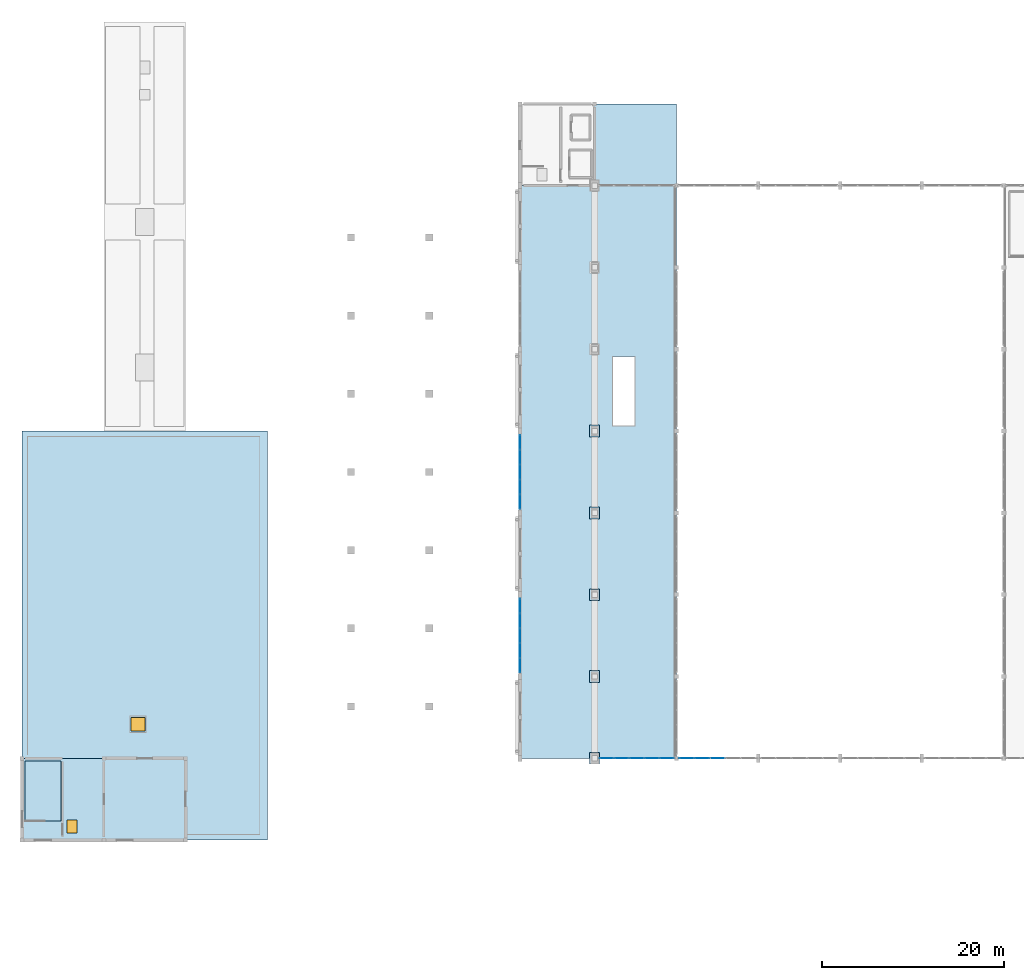
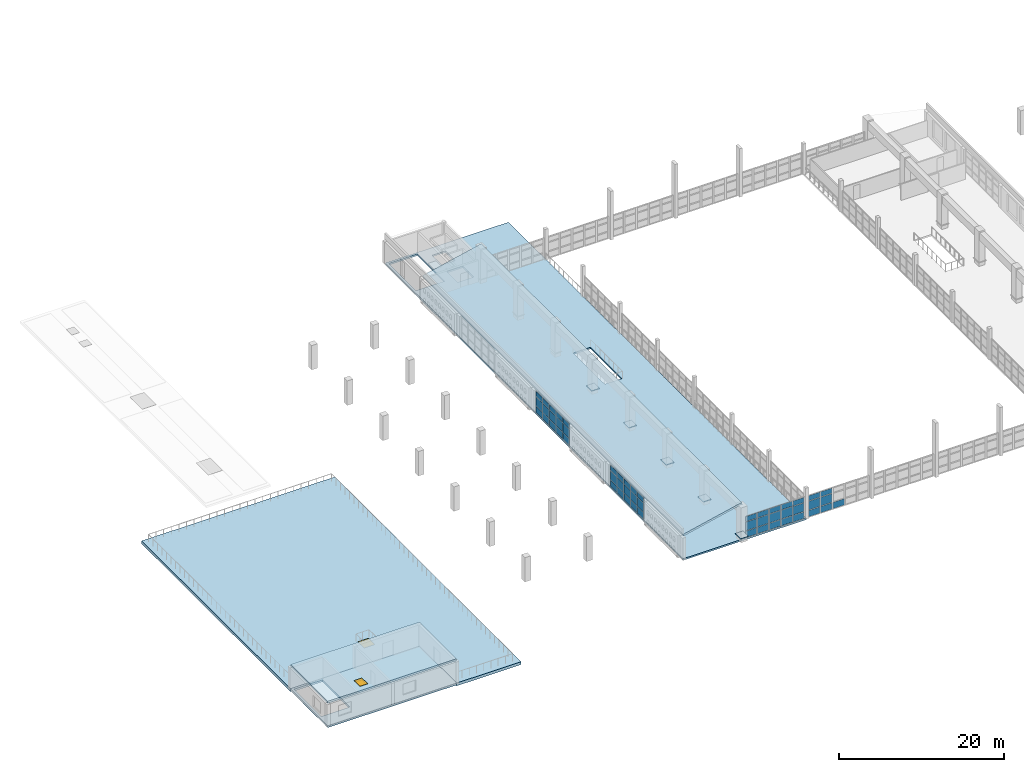
# One storey, part 55 of 80: 57 plates, 5 slabs, 1 door, 1 window, 2 openings, 4 elements without a shape of their own.
"""IFC4 building model written with IfcOpenShell, lengths in metres."""

from ifc_helpers import new_model, si_unit, direction, frame, origin, origin_2d, place, context, subcontext, project, spatial, polyline, rectangle, outline, extrude, material, layer, layer_set, type_object, element, fill, aggregate, save


model = new_model("IFC4")

# Units and contexts
model_context = context("Model", 3, precision=1e-05, world=origin(), true_north=direction((0.0, 1.0)))
body_context = subcontext(model_context, "Body", "Model", "MODEL_VIEW")
ifc_project = project(units=[si_unit("LENGTHUNIT", "METRE"), si_unit("AREAUNIT", "SQUARE_METRE"), si_unit("VOLUMEUNIT", "CUBIC_METRE"), si_unit("PLANEANGLEUNIT", "RADIAN"), si_unit("MASSUNIT", "GRAM", prefix="KILO")], contexts=[model_context])

# Site, building, storey
site_placement = place(None, origin())
site = spatial("IfcSite", under=ifc_project, at=site_placement, CompositionType="ELEMENT")
building_placement = place(site_placement, origin())
building = spatial("IfcBuilding", under=site, at=building_placement, Name="Ornek Quay Market", CompositionType="ELEMENT")
storey_placement = place(building_placement, frame((0.0, 0.0, 8.39990234375)))
storey = spatial("IfcBuildingStorey", under=building, at=storey_placement, Name="L02", CompositionType="ELEMENT", Elevation=8.39990234375)

# Plates
ifc_material_1 = material(Name="Steel S355", Category="steel")
ifc_layer_1 = layer(ifc_material_1, 1.300048828125, Name="Steel S355", Category="steel")
ifc_layer_set_1 = layer_set([ifc_layer_1], Name="Steel S355")
plate_type_1 = type_object("IfcPlateType", Name="PL-ARCH-SHOE-1100x1300x50", PredefinedType="SHEET", material=ifc_layer_set_1)
for number, where, z_axis, x_axis, name in (
    (1, (63.0, 29.0, 0.60009765625), (0.0, 0.0, 1.0), (1.0, 0.0, 0.0), "Arch bearing plate Grid D-W"),
    (2, (63.0, 38.0, 0.60009765625), (0.0, 0.0, 1.0), (1.0, 0.0, 0.0), "Arch bearing plate Grid E-W"),
    (3, (63.0, 47.0, 0.60009765625), (0.0, 0.0, 1.0), (1.0, 0.0, 0.0), "Arch bearing plate Grid F-W"),
    (4, (63.0, 56.0, 0.60009765625), (0.0, 0.0, 1.0), (1.0, 0.0, 0.0), "Arch bearing plate Grid G-W"),
    (5, (63.0, 65.0, 0.60009765625), (0.0, 0.0, 1.0), (1.0, 0.0, 0.0), "Arch bearing plate Grid H-W"),
):
    element("IfcPlate", number, at=place(storey_placement, frame(where, z_axis=z_axis, x_axis=x_axis)), inside=storey, type_object=plate_type_1, Name=name, PredefinedType="SHEET", context=body_context, shape_type="SweptSolid", body=[
        extrude(rectangle(XDim=1.10009765625, YDim=1.300048828125, at=origin_2d()), origin(), (0.0, 0.0, 1.0), 0.050048828125),
    ])

# Curtain wall, plates
ifc_material_2 = material(Name="Anodised bronze aluminium and triple low-e glass", Category="aluminium")
ifc_layer_2 = layer(ifc_material_2, 0.239990234375, Name="Anodised bronze aluminium and triple low-e glass", Category="aluminium")
ifc_layer_set_2 = layer_set([ifc_layer_2], Name="Anodised bronze aluminium and triple low-e glass")
curtain_wall_type = type_object("IfcCurtainWallType", Name="CW-GAB-MOD1800", PredefinedType="USERDEFINED", material=ifc_layer_set_2)
curtain_wall_1_placement = place(storey_placement, origin())
curtain_wall_1 = element("IfcCurtainWall", 6, at=curtain_wall_1_placement, inside=storey, type_object=curtain_wall_type, Name="Curtain wall CW-057", ObjectType="CURTAIN WALL", PredefinedType="USERDEFINED")
ifc_material_3 = material(Name="Triple insulated low-e glass", Category="glass")
ifc_layer_3 = layer(ifc_material_3, 0.0419921875, Name="Triple insulated low-e glass", Category="glass")
ifc_layer_set_3 = layer_set([ifc_layer_3], Name="Triple insulated low-e glass")
plate_type_2 = type_object("IfcPlateType", Name="PL-CW-TRIPLE-42", PredefinedType="CURTAIN_PANEL", material=ifc_layer_set_3)
plate_1_placement = place(storey_placement, frame((54.800048828125, 39.237548828125, 0.06982421875), z_axis=(0.0, 0.0, 1.0), x_axis=(0.0, 1.0, 0.0)))
plate_1 = element("IfcPlate", 7, at=plate_1_placement, type_object=plate_type_2, Name="CW-057 panel 1.1", PredefinedType="CURTAIN_PANEL", context=body_context, shape_type="SweptSolid", body=[
    extrude(rectangle(XDim=1.534912109375, YDim=0.0419921875, at=origin_2d()), origin(), (0.0, 0.0, 1.0), 0.945068359375),
])
plate_2_placement = place(storey_placement, frame((54.800048828125, 39.237548828125, 1.0849609375), z_axis=(0.0, 0.0, 1.0), x_axis=(0.0, 1.0, 0.0)))
plate_2 = element("IfcPlate", 8, at=plate_2_placement, type_object=plate_type_2, Name="CW-057 panel 1.2", PredefinedType="CURTAIN_PANEL", context=body_context, shape_type="SweptSolid", body=[
    extrude(rectangle(XDim=1.534912109375, YDim=0.0419921875, at=origin_2d()), origin(), (0.0, 0.0, 1.0), 1.320068359375),
])
plate_3_placement = place(storey_placement, frame((54.800048828125, 39.237548828125, 2.47509765625), z_axis=(0.0, 0.0, 1.0), x_axis=(0.0, 1.0, 0.0)))
plate_3 = element("IfcPlate", 9, at=plate_3_placement, type_object=plate_type_2, Name="CW-057 panel 1.3", PredefinedType="CURTAIN_PANEL", context=body_context, shape_type="SweptSolid", body=[
    extrude(rectangle(XDim=1.534912109375, YDim=0.0419921875, at=origin_2d()), origin(), (0.0, 0.0, 1.0), 0.7451171875),
])
plate_4_placement = place(storey_placement, frame((54.800048828125, 40.860107421875, 0.06982421875), z_axis=(0.0, 0.0, 1.0), x_axis=(0.0, 1.0, 0.0)))
plate_4 = element("IfcPlate", 10, at=plate_4_placement, type_object=plate_type_2, Name="CW-057 panel 2.1", PredefinedType="CURTAIN_PANEL", context=body_context, shape_type="SweptSolid", body=[
    extrude(rectangle(XDim=1.570068359375, YDim=0.0419921875, at=origin_2d()), origin(), (0.0, 0.0, 1.0), 0.945068359375),
])
plate_5_placement = place(storey_placement, frame((54.800048828125, 40.860107421875, 1.0849609375), z_axis=(0.0, 0.0, 1.0), x_axis=(0.0, 1.0, 0.0)))
plate_5 = element("IfcPlate", 11, at=plate_5_placement, type_object=plate_type_2, Name="CW-057 panel 2.2", PredefinedType="CURTAIN_PANEL", context=body_context, shape_type="SweptSolid", body=[
    extrude(rectangle(XDim=1.570068359375, YDim=0.0419921875, at=origin_2d()), origin(), (0.0, 0.0, 1.0), 1.320068359375),
])
plate_6_placement = place(storey_placement, frame((54.800048828125, 40.860107421875, 2.47509765625), z_axis=(0.0, 0.0, 1.0), x_axis=(0.0, 1.0, 0.0)))
plate_6 = element("IfcPlate", 12, at=plate_6_placement, type_object=plate_type_2, Name="CW-057 panel 2.3", PredefinedType="CURTAIN_PANEL", context=body_context, shape_type="SweptSolid", body=[
    extrude(rectangle(XDim=1.570068359375, YDim=0.0419921875, at=origin_2d()), origin(), (0.0, 0.0, 1.0), 0.7451171875),
])
plate_7_placement = place(storey_placement, frame((54.800048828125, 42.5, 0.06982421875), z_axis=(0.0, 0.0, 1.0), x_axis=(0.0, 1.0, 0.0)))
plate_7 = element("IfcPlate", 13, at=plate_7_placement, type_object=plate_type_2, Name="CW-057 panel 3.1", PredefinedType="CURTAIN_PANEL", context=body_context, shape_type="SweptSolid", body=[
    extrude(rectangle(XDim=1.570068359375, YDim=0.0419921875, at=origin_2d()), origin(), (0.0, 0.0, 1.0), 0.945068359375),
])
plate_8_placement = place(storey_placement, frame((54.800048828125, 42.5, 1.0849609375), z_axis=(0.0, 0.0, 1.0), x_axis=(0.0, 1.0, 0.0)))
plate_8 = element("IfcPlate", 14, at=plate_8_placement, type_object=plate_type_2, Name="CW-057 panel 3.2", PredefinedType="CURTAIN_PANEL", context=body_context, shape_type="SweptSolid", body=[
    extrude(rectangle(XDim=1.570068359375, YDim=0.0419921875, at=origin_2d()), origin(), (0.0, 0.0, 1.0), 1.320068359375),
])
plate_9_placement = place(storey_placement, frame((54.800048828125, 42.5, 2.47509765625), z_axis=(0.0, 0.0, 1.0), x_axis=(0.0, 1.0, 0.0)))
plate_9 = element("IfcPlate", 15, at=plate_9_placement, type_object=plate_type_2, Name="CW-057 panel 3.3", PredefinedType="CURTAIN_PANEL", context=body_context, shape_type="SweptSolid", body=[
    extrude(rectangle(XDim=1.570068359375, YDim=0.0419921875, at=origin_2d()), origin(), (0.0, 0.0, 1.0), 0.7451171875),
])
plate_10_placement = place(storey_placement, frame((54.800048828125, 44.139892578125, 0.06982421875), z_axis=(0.0, 0.0, 1.0), x_axis=(0.0, 1.0, 0.0)))
plate_10 = element("IfcPlate", 16, at=plate_10_placement, type_object=plate_type_2, Name="CW-057 panel 4.1", PredefinedType="CURTAIN_PANEL", context=body_context, shape_type="SweptSolid", body=[
    extrude(rectangle(XDim=1.570068359375, YDim=0.0419921875, at=origin_2d()), origin(), (0.0, 0.0, 1.0), 0.945068359375),
])
plate_11_placement = place(storey_placement, frame((54.800048828125, 44.139892578125, 1.0849609375), z_axis=(0.0, 0.0, 1.0), x_axis=(0.0, 1.0, 0.0)))
plate_11 = element("IfcPlate", 17, at=plate_11_placement, type_object=plate_type_2, Name="CW-057 panel 4.2", PredefinedType="CURTAIN_PANEL", context=body_context, shape_type="SweptSolid", body=[
    extrude(rectangle(XDim=1.570068359375, YDim=0.0419921875, at=origin_2d()), origin(), (0.0, 0.0, 1.0), 1.320068359375),
])
plate_12_placement = place(storey_placement, frame((54.800048828125, 44.139892578125, 2.47509765625), z_axis=(0.0, 0.0, 1.0), x_axis=(0.0, 1.0, 0.0)))
plate_12 = element("IfcPlate", 18, at=plate_12_placement, type_object=plate_type_2, Name="CW-057 panel 4.3", PredefinedType="CURTAIN_PANEL", context=body_context, shape_type="SweptSolid", body=[
    extrude(rectangle(XDim=1.570068359375, YDim=0.0419921875, at=origin_2d()), origin(), (0.0, 0.0, 1.0), 0.7451171875),
])
plate_13_placement = place(storey_placement, frame((54.800048828125, 45.762451171875, 0.06982421875), z_axis=(0.0, 0.0, 1.0), x_axis=(0.0, 1.0, 0.0)))
plate_13 = element("IfcPlate", 19, at=plate_13_placement, type_object=plate_type_2, Name="CW-057 panel 5.1", PredefinedType="CURTAIN_PANEL", context=body_context, shape_type="SweptSolid", body=[
    extrude(rectangle(XDim=1.534912109375, YDim=0.0419921875, at=origin_2d()), origin(), (0.0, 0.0, 1.0), 0.945068359375),
])
plate_14_placement = place(storey_placement, frame((54.800048828125, 45.762451171875, 1.0849609375), z_axis=(0.0, 0.0, 1.0), x_axis=(0.0, 1.0, 0.0)))
plate_14 = element("IfcPlate", 20, at=plate_14_placement, type_object=plate_type_2, Name="CW-057 panel 5.2", PredefinedType="CURTAIN_PANEL", context=body_context, shape_type="SweptSolid", body=[
    extrude(rectangle(XDim=1.534912109375, YDim=0.0419921875, at=origin_2d()), origin(), (0.0, 0.0, 1.0), 1.320068359375),
])
plate_15_placement = place(storey_placement, frame((54.800048828125, 45.762451171875, 2.47509765625), z_axis=(0.0, 0.0, 1.0), x_axis=(0.0, 1.0, 0.0)))
plate_15 = element("IfcPlate", 21, at=plate_15_placement, type_object=plate_type_2, Name="CW-057 panel 5.3", PredefinedType="CURTAIN_PANEL", context=body_context, shape_type="SweptSolid", body=[
    extrude(rectangle(XDim=1.534912109375, YDim=0.0419921875, at=origin_2d()), origin(), (0.0, 0.0, 1.0), 0.7451171875),
])
aggregate(curtain_wall_1, [plate_1, plate_2, plate_3, plate_4, plate_5, plate_6, plate_7, plate_8, plate_9, plate_10, plate_11, plate_12, plate_13, plate_14, plate_15])

curtain_wall_2_placement = place(storey_placement, origin())
curtain_wall_2 = element("IfcCurtainWall", 22, at=curtain_wall_2_placement, inside=storey, type_object=curtain_wall_type, Name="Curtain wall CW-058", ObjectType="CURTAIN WALL", PredefinedType="USERDEFINED")
plate_16_placement = place(storey_placement, frame((54.800048828125, 57.237548828125, 0.06982421875), z_axis=(0.0, 0.0, 1.0), x_axis=(0.0, 1.0, 0.0)))
plate_16 = element("IfcPlate", 23, at=plate_16_placement, type_object=plate_type_2, Name="CW-058 panel 1.1", PredefinedType="CURTAIN_PANEL", context=body_context, shape_type="SweptSolid", body=[
    extrude(rectangle(XDim=1.534912109375, YDim=0.0419921875, at=origin_2d()), origin(), (0.0, 0.0, 1.0), 0.945068359375),
])
plate_17_placement = place(storey_placement, frame((54.800048828125, 57.237548828125, 1.0849609375), z_axis=(0.0, 0.0, 1.0), x_axis=(0.0, 1.0, 0.0)))
plate_17 = element("IfcPlate", 24, at=plate_17_placement, type_object=plate_type_2, Name="CW-058 panel 1.2", PredefinedType="CURTAIN_PANEL", context=body_context, shape_type="SweptSolid", body=[
    extrude(rectangle(XDim=1.534912109375, YDim=0.0419921875, at=origin_2d()), origin(), (0.0, 0.0, 1.0), 1.320068359375),
])
plate_18_placement = place(storey_placement, frame((54.800048828125, 57.237548828125, 2.47509765625), z_axis=(0.0, 0.0, 1.0), x_axis=(0.0, 1.0, 0.0)))
plate_18 = element("IfcPlate", 25, at=plate_18_placement, type_object=plate_type_2, Name="CW-058 panel 1.3", PredefinedType="CURTAIN_PANEL", context=body_context, shape_type="SweptSolid", body=[
    extrude(rectangle(XDim=1.534912109375, YDim=0.0419921875, at=origin_2d()), origin(), (0.0, 0.0, 1.0), 0.7451171875),
])
plate_19_placement = place(storey_placement, frame((54.800048828125, 58.860107421875, 0.06982421875), z_axis=(0.0, 0.0, 1.0), x_axis=(0.0, 1.0, 0.0)))
plate_19 = element("IfcPlate", 26, at=plate_19_placement, type_object=plate_type_2, Name="CW-058 panel 2.1", PredefinedType="CURTAIN_PANEL", context=body_context, shape_type="SweptSolid", body=[
    extrude(rectangle(XDim=1.570068359375, YDim=0.0419921875, at=origin_2d()), origin(), (0.0, 0.0, 1.0), 0.945068359375),
])
plate_20_placement = place(storey_placement, frame((54.800048828125, 58.860107421875, 1.0849609375), z_axis=(0.0, 0.0, 1.0), x_axis=(0.0, 1.0, 0.0)))
plate_20 = element("IfcPlate", 27, at=plate_20_placement, type_object=plate_type_2, Name="CW-058 panel 2.2", PredefinedType="CURTAIN_PANEL", context=body_context, shape_type="SweptSolid", body=[
    extrude(rectangle(XDim=1.570068359375, YDim=0.0419921875, at=origin_2d()), origin(), (0.0, 0.0, 1.0), 1.320068359375),
])
plate_21_placement = place(storey_placement, frame((54.800048828125, 58.860107421875, 2.47509765625), z_axis=(0.0, 0.0, 1.0), x_axis=(0.0, 1.0, 0.0)))
plate_21 = element("IfcPlate", 28, at=plate_21_placement, type_object=plate_type_2, Name="CW-058 panel 2.3", PredefinedType="CURTAIN_PANEL", context=body_context, shape_type="SweptSolid", body=[
    extrude(rectangle(XDim=1.570068359375, YDim=0.0419921875, at=origin_2d()), origin(), (0.0, 0.0, 1.0), 0.7451171875),
])
plate_22_placement = place(storey_placement, frame((54.800048828125, 60.5, 0.06982421875), z_axis=(0.0, 0.0, 1.0), x_axis=(0.0, 1.0, 0.0)))
plate_22 = element("IfcPlate", 29, at=plate_22_placement, type_object=plate_type_2, Name="CW-058 panel 3.1", PredefinedType="CURTAIN_PANEL", context=body_context, shape_type="SweptSolid", body=[
    extrude(rectangle(XDim=1.570068359375, YDim=0.0419921875, at=origin_2d()), origin(), (0.0, 0.0, 1.0), 0.945068359375),
])
plate_23_placement = place(storey_placement, frame((54.800048828125, 60.5, 1.0849609375), z_axis=(0.0, 0.0, 1.0), x_axis=(0.0, 1.0, 0.0)))
plate_23 = element("IfcPlate", 30, at=plate_23_placement, type_object=plate_type_2, Name="CW-058 panel 3.2", PredefinedType="CURTAIN_PANEL", context=body_context, shape_type="SweptSolid", body=[
    extrude(rectangle(XDim=1.570068359375, YDim=0.0419921875, at=origin_2d()), origin(), (0.0, 0.0, 1.0), 1.320068359375),
])
plate_24_placement = place(storey_placement, frame((54.800048828125, 60.5, 2.47509765625), z_axis=(0.0, 0.0, 1.0), x_axis=(0.0, 1.0, 0.0)))
plate_24 = element("IfcPlate", 31, at=plate_24_placement, type_object=plate_type_2, Name="CW-058 panel 3.3", PredefinedType="CURTAIN_PANEL", context=body_context, shape_type="SweptSolid", body=[
    extrude(rectangle(XDim=1.570068359375, YDim=0.0419921875, at=origin_2d()), origin(), (0.0, 0.0, 1.0), 0.7451171875),
])
plate_25_placement = place(storey_placement, frame((54.800048828125, 62.139892578125, 0.06982421875), z_axis=(0.0, 0.0, 1.0), x_axis=(0.0, 1.0, 0.0)))
plate_25 = element("IfcPlate", 32, at=plate_25_placement, type_object=plate_type_2, Name="CW-058 panel 4.1", PredefinedType="CURTAIN_PANEL", context=body_context, shape_type="SweptSolid", body=[
    extrude(rectangle(XDim=1.570068359375, YDim=0.0419921875, at=origin_2d()), origin(), (0.0, 0.0, 1.0), 0.945068359375),
])
plate_26_placement = place(storey_placement, frame((54.800048828125, 62.139892578125, 1.0849609375), z_axis=(0.0, 0.0, 1.0), x_axis=(0.0, 1.0, 0.0)))
plate_26 = element("IfcPlate", 33, at=plate_26_placement, type_object=plate_type_2, Name="CW-058 panel 4.2", PredefinedType="CURTAIN_PANEL", context=body_context, shape_type="SweptSolid", body=[
    extrude(rectangle(XDim=1.570068359375, YDim=0.0419921875, at=origin_2d()), origin(), (0.0, 0.0, 1.0), 1.320068359375),
])
plate_27_placement = place(storey_placement, frame((54.800048828125, 62.139892578125, 2.47509765625), z_axis=(0.0, 0.0, 1.0), x_axis=(0.0, 1.0, 0.0)))
plate_27 = element("IfcPlate", 34, at=plate_27_placement, type_object=plate_type_2, Name="CW-058 panel 4.3", PredefinedType="CURTAIN_PANEL", context=body_context, shape_type="SweptSolid", body=[
    extrude(rectangle(XDim=1.570068359375, YDim=0.0419921875, at=origin_2d()), origin(), (0.0, 0.0, 1.0), 0.7451171875),
])
plate_28_placement = place(storey_placement, frame((54.800048828125, 63.762451171875, 0.06982421875), z_axis=(0.0, 0.0, 1.0), x_axis=(0.0, 1.0, 0.0)))
plate_28 = element("IfcPlate", 35, at=plate_28_placement, type_object=plate_type_2, Name="CW-058 panel 5.1", PredefinedType="CURTAIN_PANEL", context=body_context, shape_type="SweptSolid", body=[
    extrude(rectangle(XDim=1.534912109375, YDim=0.0419921875, at=origin_2d()), origin(), (0.0, 0.0, 1.0), 0.945068359375),
])
plate_29_placement = place(storey_placement, frame((54.800048828125, 63.762451171875, 1.0849609375), z_axis=(0.0, 0.0, 1.0), x_axis=(0.0, 1.0, 0.0)))
plate_29 = element("IfcPlate", 36, at=plate_29_placement, type_object=plate_type_2, Name="CW-058 panel 5.2", PredefinedType="CURTAIN_PANEL", context=body_context, shape_type="SweptSolid", body=[
    extrude(rectangle(XDim=1.534912109375, YDim=0.0419921875, at=origin_2d()), origin(), (0.0, 0.0, 1.0), 1.320068359375),
])
plate_30_placement = place(storey_placement, frame((54.800048828125, 63.762451171875, 2.47509765625), z_axis=(0.0, 0.0, 1.0), x_axis=(0.0, 1.0, 0.0)))
plate_30 = element("IfcPlate", 37, at=plate_30_placement, type_object=plate_type_2, Name="CW-058 panel 5.3", PredefinedType="CURTAIN_PANEL", context=body_context, shape_type="SweptSolid", body=[
    extrude(rectangle(XDim=1.534912109375, YDim=0.0419921875, at=origin_2d()), origin(), (0.0, 0.0, 1.0), 0.7451171875),
])
aggregate(curtain_wall_2, [plate_16, plate_17, plate_18, plate_19, plate_20, plate_21, plate_22, plate_23, plate_24, plate_25, plate_26, plate_27, plate_28, plate_29, plate_30])

curtain_wall_3_placement = place(storey_placement, origin())
curtain_wall_3 = element("IfcCurtainWall", 38, at=curtain_wall_3_placement, inside=storey, type_object=curtain_wall_type, Name="Curtain wall CW-063", ObjectType="CURTAIN WALL", PredefinedType="USERDEFINED")
plate_31_placement = place(storey_placement, frame((64.31103515625, 29.0, 0.0751953125), z_axis=(0.0, 0.0, 1.0), x_axis=(1.0, 0.0, 0.0)))
plate_31 = element("IfcPlate", 39, at=plate_31_placement, type_object=plate_type_2, Name="CW-063 panel 1.1", PredefinedType="CURTAIN_PANEL", context=body_context, shape_type="SweptSolid", body=[
    extrude(rectangle(XDim=1.5419921875, YDim=0.0419921875, at=origin_2d()), origin(), (0.0, 0.0, 1.0), 0.9375),
])
plate_32_placement = place(storey_placement, frame((64.31103515625, 29.0, 1.087646484375), z_axis=(0.0, 0.0, 1.0), x_axis=(1.0, 0.0, 0.0)))
plate_32 = element("IfcPlate", 40, at=plate_32_placement, type_object=plate_type_2, Name="CW-063 panel 1.2", PredefinedType="CURTAIN_PANEL", context=body_context, shape_type="SweptSolid", body=[
    extrude(rectangle(XDim=1.5419921875, YDim=0.0419921875, at=origin_2d()), origin(), (0.0, 0.0, 1.0), 1.27490234375),
])
plate_33_placement = place(storey_placement, frame((64.31103515625, 29.0, 2.4375), z_axis=(0.0, 0.0, 1.0), x_axis=(1.0, 0.0, 0.0)))
plate_33 = element("IfcPlate", 41, at=plate_33_placement, type_object=plate_type_2, Name="CW-063 panel 1.3", PredefinedType="CURTAIN_PANEL", context=body_context, shape_type="SweptSolid", body=[
    extrude(rectangle(XDim=1.5419921875, YDim=0.0419921875, at=origin_2d()), origin(), (0.0, 0.0, 1.0), 0.737548828125),
])
plate_34_placement = place(storey_placement, frame((65.952880859375, 29.0, 0.0751953125), z_axis=(0.0, 0.0, 1.0), x_axis=(1.0, 0.0, 0.0)))
plate_34 = element("IfcPlate", 42, at=plate_34_placement, type_object=plate_type_2, Name="CW-063 panel 2.1", PredefinedType="CURTAIN_PANEL", context=body_context, shape_type="SweptSolid", body=[
    extrude(rectangle(XDim=1.58203125, YDim=0.0419921875, at=origin_2d()), origin(), (0.0, 0.0, 1.0), 0.9375),
])
plate_35_placement = place(storey_placement, frame((65.952880859375, 29.0, 1.087646484375), z_axis=(0.0, 0.0, 1.0), x_axis=(1.0, 0.0, 0.0)))
plate_35 = element("IfcPlate", 43, at=plate_35_placement, type_object=plate_type_2, Name="CW-063 panel 2.2", PredefinedType="CURTAIN_PANEL", context=body_context, shape_type="SweptSolid", body=[
    extrude(rectangle(XDim=1.58203125, YDim=0.0419921875, at=origin_2d()), origin(), (0.0, 0.0, 1.0), 1.27490234375),
])
plate_36_placement = place(storey_placement, frame((65.952880859375, 29.0, 2.4375), z_axis=(0.0, 0.0, 1.0), x_axis=(1.0, 0.0, 0.0)))
plate_36 = element("IfcPlate", 44, at=plate_36_placement, type_object=plate_type_2, Name="CW-063 panel 2.3", PredefinedType="CURTAIN_PANEL", context=body_context, shape_type="SweptSolid", body=[
    extrude(rectangle(XDim=1.58203125, YDim=0.0419921875, at=origin_2d()), origin(), (0.0, 0.0, 1.0), 0.737548828125),
])
plate_37_placement = place(storey_placement, frame((67.614990234375, 29.0, 0.0751953125), z_axis=(0.0, 0.0, 1.0), x_axis=(1.0, 0.0, 0.0)))
plate_37 = element("IfcPlate", 45, at=plate_37_placement, type_object=plate_type_2, Name="CW-063 panel 3.1", PredefinedType="CURTAIN_PANEL", context=body_context, shape_type="SweptSolid", body=[
    extrude(rectangle(XDim=1.58203125, YDim=0.0419921875, at=origin_2d()), origin(), (0.0, 0.0, 1.0), 0.9375),
])
plate_38_placement = place(storey_placement, frame((67.614990234375, 29.0, 1.087646484375), z_axis=(0.0, 0.0, 1.0), x_axis=(1.0, 0.0, 0.0)))
plate_38 = element("IfcPlate", 46, at=plate_38_placement, type_object=plate_type_2, Name="CW-063 panel 3.2", PredefinedType="CURTAIN_PANEL", context=body_context, shape_type="SweptSolid", body=[
    extrude(rectangle(XDim=1.58203125, YDim=0.0419921875, at=origin_2d()), origin(), (0.0, 0.0, 1.0), 1.27490234375),
])
plate_39_placement = place(storey_placement, frame((67.614990234375, 29.0, 2.4375), z_axis=(0.0, 0.0, 1.0), x_axis=(1.0, 0.0, 0.0)))
plate_39 = element("IfcPlate", 47, at=plate_39_placement, type_object=plate_type_2, Name="CW-063 panel 3.3", PredefinedType="CURTAIN_PANEL", context=body_context, shape_type="SweptSolid", body=[
    extrude(rectangle(XDim=1.58203125, YDim=0.0419921875, at=origin_2d()), origin(), (0.0, 0.0, 1.0), 0.737548828125),
])
plate_40_placement = place(storey_placement, frame((69.277099609375, 29.0, 0.0751953125), z_axis=(0.0, 0.0, 1.0), x_axis=(1.0, 0.0, 0.0)))
plate_40 = element("IfcPlate", 48, at=plate_40_placement, type_object=plate_type_2, Name="CW-063 panel 4.1", PredefinedType="CURTAIN_PANEL", context=body_context, shape_type="SweptSolid", body=[
    extrude(rectangle(XDim=1.58203125, YDim=0.0419921875, at=origin_2d()), origin(), (0.0, 0.0, 1.0), 0.9375),
])
plate_41_placement = place(storey_placement, frame((69.277099609375, 29.0, 1.087646484375), z_axis=(0.0, 0.0, 1.0), x_axis=(1.0, 0.0, 0.0)))
plate_41 = element("IfcPlate", 49, at=plate_41_placement, type_object=plate_type_2, Name="CW-063 panel 4.2", PredefinedType="CURTAIN_PANEL", context=body_context, shape_type="SweptSolid", body=[
    extrude(rectangle(XDim=1.58203125, YDim=0.0419921875, at=origin_2d()), origin(), (0.0, 0.0, 1.0), 1.27490234375),
])
plate_42_placement = place(storey_placement, frame((69.277099609375, 29.0, 2.4375), z_axis=(0.0, 0.0, 1.0), x_axis=(1.0, 0.0, 0.0)))
plate_42 = element("IfcPlate", 50, at=plate_42_placement, type_object=plate_type_2, Name="CW-063 panel 4.3", PredefinedType="CURTAIN_PANEL", context=body_context, shape_type="SweptSolid", body=[
    extrude(rectangle(XDim=1.58203125, YDim=0.0419921875, at=origin_2d()), origin(), (0.0, 0.0, 1.0), 0.737548828125),
])
plate_43_placement = place(storey_placement, frame((70.9189453125, 29.0, 0.0751953125), z_axis=(0.0, 0.0, 1.0), x_axis=(1.0, 0.0, 0.0)))
plate_43 = element("IfcPlate", 51, at=plate_43_placement, type_object=plate_type_2, Name="CW-063 panel 5.1", PredefinedType="CURTAIN_PANEL", context=body_context, shape_type="SweptSolid", body=[
    extrude(rectangle(XDim=1.5419921875, YDim=0.0419921875, at=origin_2d()), origin(), (0.0, 0.0, 1.0), 0.9375),
])
plate_44_placement = place(storey_placement, frame((70.9189453125, 29.0, 1.087646484375), z_axis=(0.0, 0.0, 1.0), x_axis=(1.0, 0.0, 0.0)))
plate_44 = element("IfcPlate", 52, at=plate_44_placement, type_object=plate_type_2, Name="CW-063 panel 5.2", PredefinedType="CURTAIN_PANEL", context=body_context, shape_type="SweptSolid", body=[
    extrude(rectangle(XDim=1.5419921875, YDim=0.0419921875, at=origin_2d()), origin(), (0.0, 0.0, 1.0), 1.27490234375),
])
plate_45_placement = place(storey_placement, frame((70.9189453125, 29.0, 2.4375), z_axis=(0.0, 0.0, 1.0), x_axis=(1.0, 0.0, 0.0)))
plate_45 = element("IfcPlate", 53, at=plate_45_placement, type_object=plate_type_2, Name="CW-063 panel 5.3", PredefinedType="CURTAIN_PANEL", context=body_context, shape_type="SweptSolid", body=[
    extrude(rectangle(XDim=1.5419921875, YDim=0.0419921875, at=origin_2d()), origin(), (0.0, 0.0, 1.0), 0.737548828125),
])
aggregate(curtain_wall_3, [plate_31, plate_32, plate_33, plate_34, plate_35, plate_36, plate_37, plate_38, plate_39, plate_40, plate_41, plate_42, plate_43, plate_44, plate_45])

curtain_wall_4_placement = place(storey_placement, origin())
curtain_wall_4 = element("IfcCurtainWall", 54, at=curtain_wall_4_placement, inside=storey, type_object=curtain_wall_type, Name="Curtain wall CW-066", ObjectType="CURTAIN WALL", PredefinedType="USERDEFINED")
plate_46_placement = place(storey_placement, frame((73.10595703125, 29.0, 0.0751953125), z_axis=(0.0, 0.0, 1.0), x_axis=(1.0, 0.0, 0.0)))
plate_46 = element("IfcPlate", 55, at=plate_46_placement, type_object=plate_type_2, Name="CW-066 panel 1.1", PredefinedType="CURTAIN_PANEL", context=body_context, shape_type="SweptSolid", body=[
    extrude(rectangle(XDim=1.592041015625, YDim=0.0419921875, at=origin_2d()), origin(), (0.0, 0.0, 1.0), 0.9375),
])
plate_47_placement = place(storey_placement, frame((73.10595703125, 29.0, 1.087646484375), z_axis=(0.0, 0.0, 1.0), x_axis=(1.0, 0.0, 0.0)))
plate_47 = element("IfcPlate", 56, at=plate_47_placement, type_object=plate_type_2, Name="CW-066 panel 1.2", PredefinedType="CURTAIN_PANEL", context=body_context, shape_type="SweptSolid", body=[
    extrude(rectangle(XDim=1.592041015625, YDim=0.0419921875, at=origin_2d()), origin(), (0.0, 0.0, 1.0), 1.27490234375),
])
plate_48_placement = place(storey_placement, frame((73.10595703125, 29.0, 2.4375), z_axis=(0.0, 0.0, 1.0), x_axis=(1.0, 0.0, 0.0)))
plate_48 = element("IfcPlate", 57, at=plate_48_placement, type_object=plate_type_2, Name="CW-066 panel 1.3", PredefinedType="CURTAIN_PANEL", context=body_context, shape_type="SweptSolid", body=[
    extrude(rectangle(XDim=1.592041015625, YDim=0.0419921875, at=origin_2d()), origin(), (0.0, 0.0, 1.0), 0.737548828125),
])
plate_49_placement = place(storey_placement, frame((74.798095703125, 29.0, 0.0751953125), z_axis=(0.0, 0.0, 1.0), x_axis=(1.0, 0.0, 0.0)))
plate_49 = element("IfcPlate", 58, at=plate_49_placement, type_object=plate_type_2, Name="CW-066 panel 2.1", PredefinedType="CURTAIN_PANEL", context=body_context, shape_type="SweptSolid", body=[
    extrude(rectangle(XDim=1.632080078125, YDim=0.0419921875, at=origin_2d()), origin(), (0.0, 0.0, 1.0), 0.9375),
])
plate_50_placement = place(storey_placement, frame((74.798095703125, 29.0, 1.087646484375), z_axis=(0.0, 0.0, 1.0), x_axis=(1.0, 0.0, 0.0)))
plate_50 = element("IfcPlate", 59, at=plate_50_placement, type_object=plate_type_2, Name="CW-066 panel 2.2", PredefinedType="CURTAIN_PANEL", context=body_context, shape_type="SweptSolid", body=[
    extrude(rectangle(XDim=1.632080078125, YDim=0.0419921875, at=origin_2d()), origin(), (0.0, 0.0, 1.0), 1.27490234375),
])
plate_51_placement = place(storey_placement, frame((74.798095703125, 29.0, 2.4375), z_axis=(0.0, 0.0, 1.0), x_axis=(1.0, 0.0, 0.0)))
plate_51 = element("IfcPlate", 60, at=plate_51_placement, type_object=plate_type_2, Name="CW-066 panel 2.3", PredefinedType="CURTAIN_PANEL", context=body_context, shape_type="SweptSolid", body=[
    extrude(rectangle(XDim=1.632080078125, YDim=0.0419921875, at=origin_2d()), origin(), (0.0, 0.0, 1.0), 0.737548828125),
])
plate_52_placement = place(storey_placement, frame((76.510009765625, 29.0, 0.0751953125), z_axis=(0.0, 0.0, 1.0), x_axis=(1.0, 0.0, 0.0)))
plate_52 = element("IfcPlate", 61, at=plate_52_placement, type_object=plate_type_2, Name="CW-066 panel 3.1", PredefinedType="CURTAIN_PANEL", context=body_context, shape_type="SweptSolid", body=[
    extrude(rectangle(XDim=1.632080078125, YDim=0.0419921875, at=origin_2d()), origin(), (0.0, 0.0, 1.0), 0.9375),
])
aggregate(curtain_wall_4, [plate_46, plate_47, plate_48, plate_49, plate_50, plate_51, plate_52])

# Slabs
ifc_material_4 = material(Name="Concrete C40/50", Category="concrete")
ifc_layer_4 = layer(ifc_material_4, 0.239990234375, Name="Concrete C40/50", Category="concrete")
ifc_layer_set_4 = layer_set([ifc_layer_4], Name="Concrete C40/50")
slab_type_1 = type_object("IfcSlabType", Name="SL-FLR-GAL2-240", PredefinedType="FLOOR", material=ifc_layer_set_4)
slab_1_placement = place(storey_placement, frame((0.0, 0.0, -0.239990234375)))
element("IfcSlab", 62, at=slab_1_placement, inside=storey, type_object=slab_type_1, Name="Slab S-053 (L02)", PredefinedType="FLOOR", context=body_context, shape_type="SweptSolid", body=[
    extrude(outline(polyline([(54.800048828125, 29.0), (72.0, 29.0), (72.0, 101.0), (54.800048828125, 101.0), (54.800048828125, 29.0)]), holes=[polyline([(67.39990234375, 65.60009765625), (65.0, 65.60009765625), (65.0, 73.199951171875), (67.39990234375, 73.199951171875), (67.39990234375, 65.60009765625)]), polyline([(62.570068359375, 93.080078125), (60.330078125, 93.080078125), (60.330078125, 95.719970703125), (62.570068359375, 95.719970703125), (62.570068359375, 93.080078125)]), polyline([(59.10009765625, 94.10009765625), (55.10009765625, 94.10009765625), (55.10009765625, 100.699951171875), (59.10009765625, 100.699951171875), (59.10009765625, 94.10009765625)]), polyline([(62.3701171875, 97.22998046875), (60.530029296875, 97.22998046875), (60.530029296875, 99.570068359375), (62.3701171875, 99.570068359375), (62.3701171875, 97.22998046875)])]), origin(), (0.0, 0.0, 1.0), 0.239990234375),
])
ifc_material_5 = material(Name="Concrete C35/45", Category="concrete")
ifc_layer_5 = layer(ifc_material_5, 0.280029296875, Name="Concrete C35/45", Category="concrete")
ifc_layer_set_5 = layer_set([ifc_layer_5], Name="Concrete C35/45")
slab_type_2 = type_object("IfcSlabType", Name="SL-FLR-WING-280", PredefinedType="FLOOR", material=ifc_layer_set_5)
slab_2_placement = place(storey_placement, frame((0.0, 0.0, -0.27978515625)))
element("IfcSlab", 63, at=slab_2_placement, inside=storey, type_object=slab_type_2, Name="Slab S-039 (L02)", PredefinedType="FLOOR", context=body_context, shape_type="SweptSolid", body=[
    extrude(outline(polyline([(0.0, 20.0), (18.0, 20.0), (18.0, 29.0), (0.0, 29.0), (0.0, 20.0)]), holes=[polyline([(0.300048828125, 28.699951171875), (4.300048828125, 28.699951171875), (4.300048828125, 22.10009765625), (0.300048828125, 22.10009765625), (0.300048828125, 28.699951171875)])]), origin(), (0.0, 0.0, 1.0), 0.27978515625),
])

# Slab, opening, window
ifc_layer_6 = layer(ifc_material_4, 0.419921875, Name="Concrete C40/50", Category="concrete")
ifc_layer_set_6 = layer_set([ifc_layer_6], Name="Concrete C40/50")
slab_type_3 = type_object("IfcSlabType", Name="SL-GRD-WEST-420", PredefinedType="ROOF", material=ifc_layer_set_6)
slab_3_placement = place(storey_placement, frame((0.0, 0.0, -0.419921875)))
slab_3 = element("IfcSlab", 64, at=slab_3_placement, inside=storey, type_object=slab_type_3, Name="Slab S-040 (L02)", PredefinedType="ROOF", context=body_context, shape_type="SweptSolid", body=[
    extrude(outline(polyline([(18.0, 20.0), (27.0, 20.0), (27.0, 65.0), (0.0, 65.0), (0.0, 29.0), (18.0, 29.0), (18.0, 20.0)]), holes=[polyline([(12.0, 33.5), (13.5, 33.5), (13.5, 32.0), (12.0, 32.0), (12.0, 33.5)])]), origin(), (0.0, 0.0, 1.0), 0.419921875),
])
opening_1_placement = place(slab_3_placement, frame((12.75, 32.75, -0.010009765625)))
opening_1 = element("IfcOpeningElement", 65, at=opening_1_placement, cuts=slab_3, Name="Opening LDM-01-15", PredefinedType="OPENING", context=body_context, shape_type="SweptSolid", body=[
    extrude(rectangle(XDim=1.5, YDim=1.5, at=origin_2d()), origin(), (0.0, 0.0, 1.0), 0.43994140625),
])
ifc_material_6 = material(Name="Thermally broken bronze aluminium and triple low-e glass", Category="aluminium")
window_type = type_object("IfcWindowType", Name="WN-DOME-1500x1500", PartitioningType="SINGLE_PANEL", PredefinedType="LIGHTDOME", material=ifc_material_6)
window_placement = place(opening_1_placement, frame((0.0, 0.0, 0.3798828125)))
window = element("IfcWindow", 66, at=window_placement, inside=storey, type_object=window_type, Name="Roof skylight LDM-01-15", OverallHeight=1.5, OverallWidth=1.5, PartitioningType="SINGLE_PANEL", PredefinedType="LIGHTDOME", context=body_context, shape_type="SweptSolid", body=[
    extrude(rectangle(XDim=1.5, YDim=1.5, at=origin_2d()), origin(), (0.0, 0.0, 1.0), 0.050048828125),
])
fill(opening_1, window)

# Slab, opening, door
ifc_layer_7 = layer(ifc_material_5, 0.31005859375, Name="Concrete C35/45", Category="concrete")
ifc_layer_set_7 = layer_set([ifc_layer_7], Name="Concrete C35/45")
slab_type_4 = type_object("IfcSlabType", Name="SL-RF-WING-310", PredefinedType="ROOF", material=ifc_layer_set_7)
slab_4_placement = place(storey_placement, frame((0.0, 0.0, 3.2900390625)))
slab_4 = element("IfcSlab", 67, at=slab_4_placement, inside=storey, type_object=slab_type_4, Name="Slab S-044 (L02)", PredefinedType="ROOF", context=body_context, shape_type="SweptSolid", body=[
    extrude(outline(polyline([(0.0, 20.0), (18.0, 20.0), (18.0, 29.0), (0.0, 29.0), (0.0, 20.0)]), holes=[polyline([(4.949951171875, 20.800048828125), (6.050048828125, 20.800048828125), (6.050048828125, 22.199951171875), (4.949951171875, 22.199951171875), (4.949951171875, 20.800048828125)])]), origin(), (0.0, 0.0, 1.0), 0.31005859375),
])
opening_2_placement = place(slab_4_placement, frame((5.5, 21.5, -0.010009765625)))
opening_2 = element("IfcOpeningElement", 68, at=opening_2_placement, cuts=slab_4, Name="Opening RH-02", PredefinedType="OPENING", context=body_context, shape_type="SweptSolid", body=[
    extrude(rectangle(XDim=1.10009765625, YDim=1.39990234375, at=origin_2d()), origin(), (0.0, 0.0, 1.0), 0.330078125),
])
ifc_material_7 = material(Name="Thermally broken aluminium roof access hatch", Category="aluminium")
door_type = type_object("IfcDoorType", Name="DR-HATCH-ROOF-1100x1400", OperationType="SINGLE_SWING_LEFT", PredefinedType="TRAPDOOR", material=ifc_material_7)
door_placement = place(opening_2_placement, frame((0.0, 0.0, 0.27001953125)))
door = element("IfcDoor", 69, at=door_placement, inside=storey, type_object=door_type, Name="Roof access hatch RH-02", OperationType="SINGLE_SWING_LEFT", OverallHeight=1.39990234375, OverallWidth=1.10009765625, PredefinedType="TRAPDOOR", context=body_context, shape_type="SweptSolid", body=[
    extrude(rectangle(XDim=1.10009765625, YDim=1.39990234375, at=origin_2d()), origin(), (0.0, 0.0, 1.0), 0.050048828125),
])
fill(opening_2, door)

# Slab
slab_5_placement = place(storey_placement, frame((54.800048828125, 29.0, 3.60009765625), z_axis=(-0.220090604958, 0.0, 0.975479433719), x_axis=(0.975479433719, 0.0, 0.220090604958)))
element("IfcSlab", 70, at=slab_5_placement, inside=storey, type_object=slab_type_4, Name="Sloped roof slab S-055 (L02)", PredefinedType="ROOF", context=body_context, shape_type="SweptSolid", body=[
    extrude(outline(polyline([(0.0, 0.0), (8.406072838061537, 0.0), (8.406072838061537, 63.000000000000014), (0.0, 63.000000000000014), (0.0, 0.0)])), origin(), (0.0, 0.0, -1.0), 0.31005859375),
])

save(model, "model.ifc")
